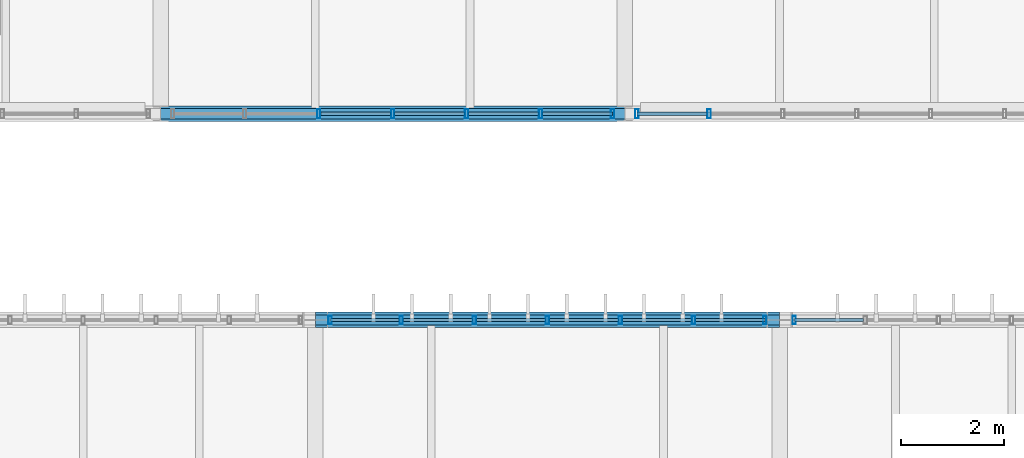
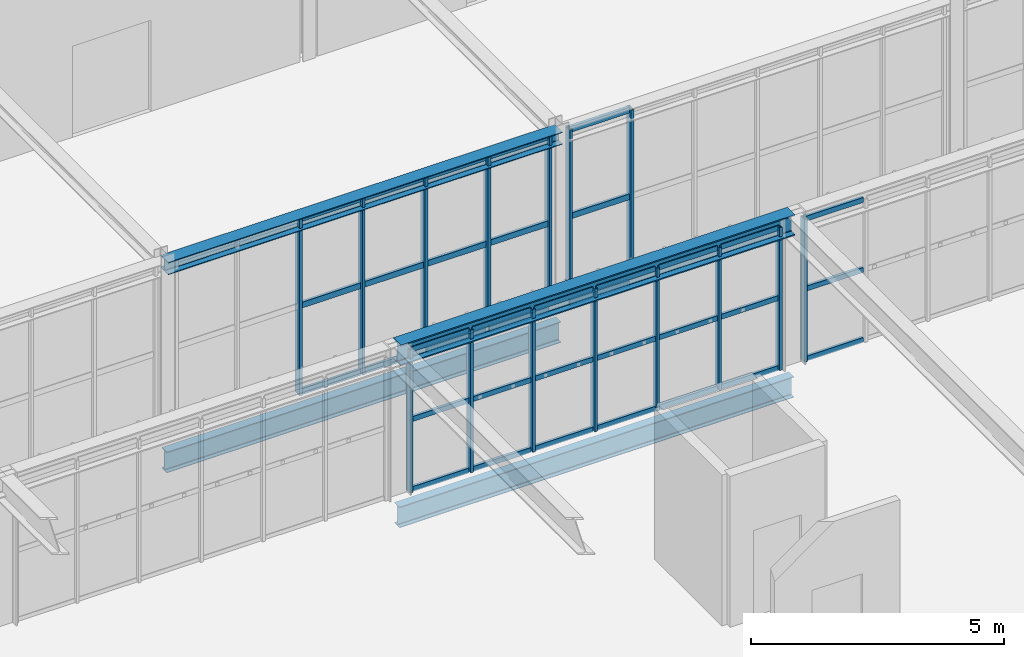
# One storey, part 61 of 152: 51 members, 4 beams, 4 elements without a shape of their own.
"""IFC4 building model written with IfcOpenShell, lengths in metres."""

from ifc_helpers import new_model, si_unit, derived_unit, direction, frame, origin, origin_2d, place, context, subcontext, project, spatial, hollow_rectangle, i_section, extrude, material, material_profile, profile_set, type_object, element, aggregate, save


model = new_model("IFC4")

# Units and contexts
model_context = context("Model", 3, precision=1e-05, world=origin(), true_north=direction((0.0, 1.0)))
body_context = subcontext(model_context, "Body", "Model", "MODEL_VIEW")
ifc_project = project(units=[si_unit("LENGTHUNIT", "METRE"), si_unit("AREAUNIT", "SQUARE_METRE"), si_unit("VOLUMEUNIT", "CUBIC_METRE"), si_unit("PLANEANGLEUNIT", "RADIAN"), si_unit("MASSUNIT", "GRAM", prefix="KILO"), si_unit("THERMODYNAMICTEMPERATUREUNIT", "KELVIN"), si_unit("TIMEUNIT", "SECOND"), derived_unit("THERMALTRANSMITTANCEUNIT", [(si_unit("MASSUNIT", "GRAM", prefix="KILO"), 1), (si_unit("THERMODYNAMICTEMPERATUREUNIT", "KELVIN"), -1), (si_unit("TIMEUNIT", "SECOND"), -3)])], contexts=[model_context])

# Site, building, storey
site_placement = place(None, origin())
site = spatial("IfcSite", under=ifc_project, at=site_placement, CompositionType="ELEMENT")
building_placement = place(site_placement, origin())
building = spatial("IfcBuilding", under=site, at=building_placement, Name="Cambertide Market Hall", CompositionType="ELEMENT")
storey_placement = place(building_placement, frame((0.0, 0.0, 5.39990234375)))
storey = spatial("IfcBuildingStorey", under=building, at=storey_placement, Name="L02", CompositionType="ELEMENT", Elevation=5.39990234375)

# Curtain wall, members
ifc_material_1 = material(Name="Marine Anodized Aluminium 6063-T6 AA25", Category="aluminium")
curtain_wall_type_1 = type_object("IfcCurtainWallType", Name="Lantern Straight Upper Curtain Wall", PredefinedType="USERDEFINED", material=ifc_material_1)
curtain_wall_1_placement = place(storey_placement, origin())
curtain_wall_1 = element("IfcCurtainWall", 1, at=curtain_wall_1_placement, inside=storey, type_object=curtain_wall_type_1, Name="Level 2 Curtain Wall CW-V1N-L02-3", ObjectType="UNITIZED CURTAIN WALL", PredefinedType="USERDEFINED")
ifc_material_2 = material(Name="Champagne Marine Anodized Aluminium 6063-T6 AA25", Category="aluminium")
ifc_material_profile_1 = material_profile(ifc_material_2, hollow_rectangle(XDim=0.06494140625, YDim=0.159912109375, WallThickness=0.00341796875, at=origin_2d()), Name="ALU MULLION 65x160")
ifc_profile_set_1 = profile_set([ifc_material_profile_1], Name="Champagne Marine Anodized Aluminium 6063-T6 AA25")
member_type_1 = type_object("IfcMemberType", Name="Curtain Wall Mullion ALU MULLION 65x160", PredefinedType="MULLION", material=ifc_profile_set_1)
member_1_placement = place(storey_placement, frame((60.284912109375, 92.0, 0.0), z_axis=(0.0, 0.0, 1.0), x_axis=(1.0, 0.0, 0.0)))
member_1 = element("IfcMember", 2, at=member_1_placement, type_object=member_type_1, Name="CW-V1N-L02-3 Mullion 1", PredefinedType="MULLION", context=body_context, shape_type="SweptSolid", body=[
    extrude(hollow_rectangle(XDim=0.06494140625, YDim=0.159912109375, WallThickness=0.00341796875, at=origin_2d()), origin(), (0.0, 0.0, 1.0), 3.4501953125),
])
member_2_placement = place(storey_placement, frame((61.666748046875, 92.0, 0.0), z_axis=(0.0, 0.0, 1.0), x_axis=(1.0, 0.0, 0.0)))
member_2 = element("IfcMember", 3, at=member_2_placement, type_object=member_type_1, Name="CW-V1N-L02-3 Mullion 2", PredefinedType="MULLION", context=body_context, shape_type="SweptSolid", body=[
    extrude(hollow_rectangle(XDim=0.06494140625, YDim=0.159912109375, WallThickness=0.00341796875, at=origin_2d()), origin(), (0.0, 0.0, 1.0), 3.4501953125),
])
member_3_placement = place(storey_placement, frame((63.083251953125, 92.0, 0.0), z_axis=(0.0, 0.0, 1.0), x_axis=(1.0, 0.0, 0.0)))
member_3 = element("IfcMember", 4, at=member_3_placement, type_object=member_type_1, Name="CW-V1N-L02-3 Mullion 3", PredefinedType="MULLION", context=body_context, shape_type="SweptSolid", body=[
    extrude(hollow_rectangle(XDim=0.06494140625, YDim=0.159912109375, WallThickness=0.00341796875, at=origin_2d()), origin(), (0.0, 0.0, 1.0), 3.4501953125),
])
member_4_placement = place(storey_placement, frame((64.5, 92.0, 0.0), z_axis=(0.0, 0.0, 1.0), x_axis=(1.0, 0.0, 0.0)))
member_4 = element("IfcMember", 5, at=member_4_placement, type_object=member_type_1, Name="CW-V1N-L02-3 Mullion 4", PredefinedType="MULLION", context=body_context, shape_type="SweptSolid", body=[
    extrude(hollow_rectangle(XDim=0.06494140625, YDim=0.159912109375, WallThickness=0.00341796875, at=origin_2d()), origin(), (0.0, 0.0, 1.0), 3.4501953125),
])
member_5_placement = place(storey_placement, frame((65.916748046875, 92.0, 0.0), z_axis=(0.0, 0.0, 1.0), x_axis=(1.0, 0.0, 0.0)))
member_5 = element("IfcMember", 6, at=member_5_placement, type_object=member_type_1, Name="CW-V1N-L02-3 Mullion 5", PredefinedType="MULLION", context=body_context, shape_type="SweptSolid", body=[
    extrude(hollow_rectangle(XDim=0.06494140625, YDim=0.159912109375, WallThickness=0.00341796875, at=origin_2d()), origin(), (0.0, 0.0, 1.0), 3.4501953125),
])
member_6_placement = place(storey_placement, frame((67.333251953125, 92.0, 0.0), z_axis=(0.0, 0.0, 1.0), x_axis=(1.0, 0.0, 0.0)))
member_6 = element("IfcMember", 7, at=member_6_placement, type_object=member_type_1, Name="CW-V1N-L02-3 Mullion 6", PredefinedType="MULLION", context=body_context, shape_type="SweptSolid", body=[
    extrude(hollow_rectangle(XDim=0.06494140625, YDim=0.159912109375, WallThickness=0.00341796875, at=origin_2d()), origin(), (0.0, 0.0, 1.0), 3.4501953125),
])
member_7_placement = place(storey_placement, frame((68.715087890625, 92.0, 0.0), z_axis=(0.0, 0.0, 1.0), x_axis=(1.0, 0.0, 0.0)))
member_7 = element("IfcMember", 8, at=member_7_placement, type_object=member_type_1, Name="CW-V1N-L02-3 Mullion 7", PredefinedType="MULLION", context=body_context, shape_type="SweptSolid", body=[
    extrude(hollow_rectangle(XDim=0.06494140625, YDim=0.159912109375, WallThickness=0.00341796875, at=origin_2d()), origin(), (0.0, 0.0, 1.0), 3.4501953125),
])

# Curtain wall, member
curtain_wall_2_placement = place(storey_placement, origin())
curtain_wall_2 = element("IfcCurtainWall", 9, at=curtain_wall_2_placement, inside=storey, type_object=curtain_wall_type_1, Name="Level 2 Curtain Wall CW-V1N-L02-4", ObjectType="UNITIZED CURTAIN WALL", PredefinedType="USERDEFINED")
member_8_placement = place(storey_placement, frame((69.284912109375, 92.0, 0.0), z_axis=(0.0, 0.0, 1.0), x_axis=(1.0, 0.0, 0.0)))
member_8 = element("IfcMember", 10, at=member_8_placement, type_object=member_type_1, Name="CW-V1N-L02-4 Mullion 1", PredefinedType="MULLION", context=body_context, shape_type="SweptSolid", body=[
    extrude(hollow_rectangle(XDim=0.06494140625, YDim=0.159912109375, WallThickness=0.00341796875, at=origin_2d()), origin(), (0.0, 0.0, 1.0), 3.4501953125),
])

# Curtain wall, members
ifc_material_3 = material(Name="Marine Anodized Aluminium 6063-T6 AA25", Category="aluminium")
curtain_wall_type_2 = type_object("IfcCurtainWallType", Name="Herb Tea Pavilion Terrace Glazed Wall", PredefinedType="USERDEFINED", material=ifc_material_3)
curtain_wall_3_placement = place(storey_placement, origin())
curtain_wall_3 = element("IfcCurtainWall", 11, at=curtain_wall_3_placement, inside=storey, type_object=curtain_wall_type_2, Name="Level 2 Curtain Wall CW-V2PAV-S-5", ObjectType="UNITIZED CURTAIN WALL", PredefinedType="USERDEFINED")
ifc_material_4 = material(Name="Champagne Marine Anodized Aluminium 6063-T6 AA25", Category="aluminium")
ifc_material_profile_2 = material_profile(ifc_material_4, hollow_rectangle(XDim=0.06494140625, YDim=0.179931640625, WallThickness=0.00390625, at=origin_2d()), Name="ALU MULLION 65x180")
ifc_profile_set_2 = profile_set([ifc_material_profile_2], Name="Champagne Marine Anodized Aluminium 6063-T6 AA25")
member_type_2 = type_object("IfcMemberType", Name="Curtain Wall Mullion ALU MULLION 65x180", PredefinedType="MULLION", material=ifc_profile_set_2)
member_9_placement = place(storey_placement, frame((65.764892578125, 96.0, 0.0), z_axis=(0.0, 0.0, 1.0), x_axis=(-1.0, 0.0, 0.0)))
member_9 = element("IfcMember", 12, at=member_9_placement, type_object=member_type_2, Name="CW-V2PAV-S-5 Mullion 1", PredefinedType="MULLION", context=body_context, shape_type="SweptSolid", body=[
    extrude(hollow_rectangle(XDim=0.06494140625, YDim=0.179931640625, WallThickness=0.00390625, at=origin_2d()), origin(), (0.0, 0.0, 1.0), 4.25),
])
member_10_placement = place(storey_placement, frame((64.36669921875, 96.0, 0.0), z_axis=(0.0, 0.0, 1.0), x_axis=(-1.0, 0.0, 0.0)))
member_10 = element("IfcMember", 13, at=member_10_placement, type_object=member_type_2, Name="CW-V2PAV-S-5 Mullion 2", PredefinedType="MULLION", context=body_context, shape_type="SweptSolid", body=[
    extrude(hollow_rectangle(XDim=0.06494140625, YDim=0.179931640625, WallThickness=0.00390625, at=origin_2d()), origin(), (0.0, 0.0, 1.0), 4.25),
])
member_11_placement = place(storey_placement, frame((62.933349609375, 96.0, 0.0), z_axis=(0.0, 0.0, 1.0), x_axis=(-1.0, 0.0, 0.0)))
member_11 = element("IfcMember", 14, at=member_11_placement, type_object=member_type_2, Name="CW-V2PAV-S-5 Mullion 3", PredefinedType="MULLION", context=body_context, shape_type="SweptSolid", body=[
    extrude(hollow_rectangle(XDim=0.06494140625, YDim=0.179931640625, WallThickness=0.00390625, at=origin_2d()), origin(), (0.0, 0.0, 1.0), 4.25),
])
member_12_placement = place(storey_placement, frame((61.5, 96.0, 0.0), z_axis=(0.0, 0.0, 1.0), x_axis=(-1.0, 0.0, 0.0)))
member_12 = element("IfcMember", 15, at=member_12_placement, type_object=member_type_2, Name="CW-V2PAV-S-5 Mullion 4", PredefinedType="MULLION", context=body_context, shape_type="SweptSolid", body=[
    extrude(hollow_rectangle(XDim=0.06494140625, YDim=0.179931640625, WallThickness=0.00390625, at=origin_2d()), origin(), (0.0, 0.0, 1.0), 4.25),
])
member_13_placement = place(storey_placement, frame((60.066650390625, 96.0, 0.0), z_axis=(0.0, 0.0, 1.0), x_axis=(-1.0, 0.0, 0.0)))
member_13 = element("IfcMember", 16, at=member_13_placement, type_object=member_type_2, Name="CW-V2PAV-S-5 Mullion 5", PredefinedType="MULLION", context=body_context, shape_type="SweptSolid", body=[
    extrude(hollow_rectangle(XDim=0.06494140625, YDim=0.179931640625, WallThickness=0.00390625, at=origin_2d()), origin(), (0.0, 0.0, 1.0), 4.25),
])

curtain_wall_4_placement = place(storey_placement, origin())
curtain_wall_4 = element("IfcCurtainWall", 17, at=curtain_wall_4_placement, inside=storey, type_object=curtain_wall_type_2, Name="Level 2 Curtain Wall CW-V2PAV-S-6", ObjectType="UNITIZED CURTAIN WALL", PredefinedType="USERDEFINED")
member_14_placement = place(storey_placement, frame((67.63330078125, 96.0, 0.0), z_axis=(0.0, 0.0, 1.0), x_axis=(-1.0, 0.0, 0.0)))
member_14 = element("IfcMember", 18, at=member_14_placement, type_object=member_type_2, Name="CW-V2PAV-S-6 Mullion 6", PredefinedType="MULLION", context=body_context, shape_type="SweptSolid", body=[
    extrude(hollow_rectangle(XDim=0.06494140625, YDim=0.179931640625, WallThickness=0.00390625, at=origin_2d()), origin(), (0.0, 0.0, 1.0), 4.25),
])
member_15_placement = place(storey_placement, frame((66.235107421875, 96.0, 0.0), z_axis=(0.0, 0.0, 1.0), x_axis=(-1.0, 0.0, 0.0)))
member_15 = element("IfcMember", 19, at=member_15_placement, type_object=member_type_2, Name="CW-V2PAV-S-6 Mullion 7", PredefinedType="MULLION", context=body_context, shape_type="SweptSolid", body=[
    extrude(hollow_rectangle(XDim=0.06494140625, YDim=0.179931640625, WallThickness=0.00390625, at=origin_2d()), origin(), (0.0, 0.0, 1.0), 4.25),
])

# Member
ifc_material_5 = material(Name="Champagne Marine Anodized Aluminium 6063-T6 AA25", Category="aluminium")
ifc_material_profile_3 = material_profile(ifc_material_5, hollow_rectangle(XDim=0.06494140625, YDim=0.1201171875, WallThickness=0.003173828125, at=origin_2d()), Name="ALU TRANSOM 65x120")
ifc_profile_set_3 = profile_set([ifc_material_profile_3], Name="Champagne Marine Anodized Aluminium 6063-T6 AA25")
member_type_3 = type_object("IfcMemberType", Name="Curtain Wall Transom ALU TRANSOM 65x120", PredefinedType="USERDEFINED", material=ifc_profile_set_3)
member_16_placement = place(storey_placement, frame((60.2900390625, 92.0, 0.03515625), z_axis=(1.0, 0.0, 0.0), x_axis=(0.0, 1.0, 0.0)))
member_16 = element("IfcMember", 20, at=member_16_placement, type_object=member_type_3, Name="CW-V1N-L02-3 Transom 1-1", ObjectType="TRANSOM", PredefinedType="USERDEFINED", context=body_context, shape_type="SweptSolid", body=[
    extrude(hollow_rectangle(XDim=0.06494140625, YDim=0.1201171875, WallThickness=0.003173828125, at=origin_2d()), origin(), (0.0, 0.0, 1.0), 1.336669921875),
])

member_17_placement = place(storey_placement, frame((61.706787109375, 92.0, 0.03515625), z_axis=(1.0, 0.0, 0.0), x_axis=(0.0, 1.0, 0.0)))
member_17 = element("IfcMember", 21, at=member_17_placement, type_object=member_type_3, Name="CW-V1N-L02-3 Transom 1-2", ObjectType="TRANSOM", PredefinedType="USERDEFINED", context=body_context, shape_type="SweptSolid", body=[
    extrude(hollow_rectangle(XDim=0.06494140625, YDim=0.1201171875, WallThickness=0.003173828125, at=origin_2d()), origin(), (0.0, 0.0, 1.0), 1.33642578125),
])

member_18_placement = place(storey_placement, frame((63.123291015625, 92.0, 0.03515625), z_axis=(1.0, 0.0, 0.0), x_axis=(0.0, 1.0, 0.0)))
member_18 = element("IfcMember", 22, at=member_18_placement, type_object=member_type_3, Name="CW-V1N-L02-3 Transom 1-3", ObjectType="TRANSOM", PredefinedType="USERDEFINED", context=body_context, shape_type="SweptSolid", body=[
    extrude(hollow_rectangle(XDim=0.06494140625, YDim=0.1201171875, WallThickness=0.003173828125, at=origin_2d()), origin(), (0.0, 0.0, 1.0), 1.336669921875),
])

member_19_placement = place(storey_placement, frame((64.5400390625, 92.0, 0.03515625), z_axis=(1.0, 0.0, 0.0), x_axis=(0.0, 1.0, 0.0)))
member_19 = element("IfcMember", 23, at=member_19_placement, type_object=member_type_3, Name="CW-V1N-L02-3 Transom 1-4", ObjectType="TRANSOM", PredefinedType="USERDEFINED", context=body_context, shape_type="SweptSolid", body=[
    extrude(hollow_rectangle(XDim=0.06494140625, YDim=0.1201171875, WallThickness=0.003173828125, at=origin_2d()), origin(), (0.0, 0.0, 1.0), 1.336669921875),
])

member_20_placement = place(storey_placement, frame((65.956787109375, 92.0, 0.03515625), z_axis=(1.0, 0.0, 0.0), x_axis=(0.0, 1.0, 0.0)))
member_20 = element("IfcMember", 24, at=member_20_placement, type_object=member_type_3, Name="CW-V1N-L02-3 Transom 1-5", ObjectType="TRANSOM", PredefinedType="USERDEFINED", context=body_context, shape_type="SweptSolid", body=[
    extrude(hollow_rectangle(XDim=0.06494140625, YDim=0.1201171875, WallThickness=0.003173828125, at=origin_2d()), origin(), (0.0, 0.0, 1.0), 1.33642578125),
])

member_21_placement = place(storey_placement, frame((67.373291015625, 92.0, 0.03515625), z_axis=(1.0, 0.0, 0.0), x_axis=(0.0, 1.0, 0.0)))
member_21 = element("IfcMember", 25, at=member_21_placement, type_object=member_type_3, Name="CW-V1N-L02-3 Transom 1-6", ObjectType="TRANSOM", PredefinedType="USERDEFINED", context=body_context, shape_type="SweptSolid", body=[
    extrude(hollow_rectangle(XDim=0.06494140625, YDim=0.1201171875, WallThickness=0.003173828125, at=origin_2d()), origin(), (0.0, 0.0, 1.0), 1.336669921875),
])

member_22_placement = place(storey_placement, frame((60.2900390625, 92.0, 1.72509765625), z_axis=(1.0, 0.0, 0.0), x_axis=(0.0, 1.0, 0.0)))
member_22 = element("IfcMember", 26, at=member_22_placement, type_object=member_type_3, Name="CW-V1N-L02-3 Transom 2-1", ObjectType="TRANSOM", PredefinedType="USERDEFINED", context=body_context, shape_type="SweptSolid", body=[
    extrude(hollow_rectangle(XDim=0.06494140625, YDim=0.1201171875, WallThickness=0.003173828125, at=origin_2d()), origin(), (0.0, 0.0, 1.0), 1.336669921875),
])

member_23_placement = place(storey_placement, frame((61.706787109375, 92.0, 1.72509765625), z_axis=(1.0, 0.0, 0.0), x_axis=(0.0, 1.0, 0.0)))
member_23 = element("IfcMember", 27, at=member_23_placement, type_object=member_type_3, Name="CW-V1N-L02-3 Transom 2-2", ObjectType="TRANSOM", PredefinedType="USERDEFINED", context=body_context, shape_type="SweptSolid", body=[
    extrude(hollow_rectangle(XDim=0.06494140625, YDim=0.1201171875, WallThickness=0.003173828125, at=origin_2d()), origin(), (0.0, 0.0, 1.0), 1.33642578125),
])

member_24_placement = place(storey_placement, frame((63.123291015625, 92.0, 1.72509765625), z_axis=(1.0, 0.0, 0.0), x_axis=(0.0, 1.0, 0.0)))
member_24 = element("IfcMember", 28, at=member_24_placement, type_object=member_type_3, Name="CW-V1N-L02-3 Transom 2-3", ObjectType="TRANSOM", PredefinedType="USERDEFINED", context=body_context, shape_type="SweptSolid", body=[
    extrude(hollow_rectangle(XDim=0.06494140625, YDim=0.1201171875, WallThickness=0.003173828125, at=origin_2d()), origin(), (0.0, 0.0, 1.0), 1.336669921875),
])

member_25_placement = place(storey_placement, frame((64.5400390625, 92.0, 1.72509765625), z_axis=(1.0, 0.0, 0.0), x_axis=(0.0, 1.0, 0.0)))
member_25 = element("IfcMember", 29, at=member_25_placement, type_object=member_type_3, Name="CW-V1N-L02-3 Transom 2-4", ObjectType="TRANSOM", PredefinedType="USERDEFINED", context=body_context, shape_type="SweptSolid", body=[
    extrude(hollow_rectangle(XDim=0.06494140625, YDim=0.1201171875, WallThickness=0.003173828125, at=origin_2d()), origin(), (0.0, 0.0, 1.0), 1.336669921875),
])

member_26_placement = place(storey_placement, frame((65.956787109375, 92.0, 1.72509765625), z_axis=(1.0, 0.0, 0.0), x_axis=(0.0, 1.0, 0.0)))
member_26 = element("IfcMember", 30, at=member_26_placement, type_object=member_type_3, Name="CW-V1N-L02-3 Transom 2-5", ObjectType="TRANSOM", PredefinedType="USERDEFINED", context=body_context, shape_type="SweptSolid", body=[
    extrude(hollow_rectangle(XDim=0.06494140625, YDim=0.1201171875, WallThickness=0.003173828125, at=origin_2d()), origin(), (0.0, 0.0, 1.0), 1.33642578125),
])

member_27_placement = place(storey_placement, frame((67.373291015625, 92.0, 1.72509765625), z_axis=(1.0, 0.0, 0.0), x_axis=(0.0, 1.0, 0.0)))
member_27 = element("IfcMember", 31, at=member_27_placement, type_object=member_type_3, Name="CW-V1N-L02-3 Transom 2-6", ObjectType="TRANSOM", PredefinedType="USERDEFINED", context=body_context, shape_type="SweptSolid", body=[
    extrude(hollow_rectangle(XDim=0.06494140625, YDim=0.1201171875, WallThickness=0.003173828125, at=origin_2d()), origin(), (0.0, 0.0, 1.0), 1.336669921875),
])

member_28_placement = place(storey_placement, frame((60.2900390625, 92.0, 3.4150390625), z_axis=(1.0, 0.0, 0.0), x_axis=(0.0, 1.0, 0.0)))
member_28 = element("IfcMember", 32, at=member_28_placement, type_object=member_type_3, Name="CW-V1N-L02-3 Transom 3-1", ObjectType="TRANSOM", PredefinedType="USERDEFINED", context=body_context, shape_type="SweptSolid", body=[
    extrude(hollow_rectangle(XDim=0.06494140625, YDim=0.1201171875, WallThickness=0.003173828125, at=origin_2d()), origin(), (0.0, 0.0, 1.0), 1.336669921875),
])

member_29_placement = place(storey_placement, frame((61.706787109375, 92.0, 3.4150390625), z_axis=(1.0, 0.0, 0.0), x_axis=(0.0, 1.0, 0.0)))
member_29 = element("IfcMember", 33, at=member_29_placement, type_object=member_type_3, Name="CW-V1N-L02-3 Transom 3-2", ObjectType="TRANSOM", PredefinedType="USERDEFINED", context=body_context, shape_type="SweptSolid", body=[
    extrude(hollow_rectangle(XDim=0.06494140625, YDim=0.1201171875, WallThickness=0.003173828125, at=origin_2d()), origin(), (0.0, 0.0, 1.0), 1.33642578125),
])

member_30_placement = place(storey_placement, frame((63.123291015625, 92.0, 3.4150390625), z_axis=(1.0, 0.0, 0.0), x_axis=(0.0, 1.0, 0.0)))
member_30 = element("IfcMember", 34, at=member_30_placement, type_object=member_type_3, Name="CW-V1N-L02-3 Transom 3-3", ObjectType="TRANSOM", PredefinedType="USERDEFINED", context=body_context, shape_type="SweptSolid", body=[
    extrude(hollow_rectangle(XDim=0.06494140625, YDim=0.1201171875, WallThickness=0.003173828125, at=origin_2d()), origin(), (0.0, 0.0, 1.0), 1.336669921875),
])

member_31_placement = place(storey_placement, frame((64.5400390625, 92.0, 3.4150390625), z_axis=(1.0, 0.0, 0.0), x_axis=(0.0, 1.0, 0.0)))
member_31 = element("IfcMember", 35, at=member_31_placement, type_object=member_type_3, Name="CW-V1N-L02-3 Transom 3-4", ObjectType="TRANSOM", PredefinedType="USERDEFINED", context=body_context, shape_type="SweptSolid", body=[
    extrude(hollow_rectangle(XDim=0.06494140625, YDim=0.1201171875, WallThickness=0.003173828125, at=origin_2d()), origin(), (0.0, 0.0, 1.0), 1.336669921875),
])

member_32_placement = place(storey_placement, frame((65.956787109375, 92.0, 3.4150390625), z_axis=(1.0, 0.0, 0.0), x_axis=(0.0, 1.0, 0.0)))
member_32 = element("IfcMember", 36, at=member_32_placement, type_object=member_type_3, Name="CW-V1N-L02-3 Transom 3-5", ObjectType="TRANSOM", PredefinedType="USERDEFINED", context=body_context, shape_type="SweptSolid", body=[
    extrude(hollow_rectangle(XDim=0.06494140625, YDim=0.1201171875, WallThickness=0.003173828125, at=origin_2d()), origin(), (0.0, 0.0, 1.0), 1.33642578125),
])

member_33_placement = place(storey_placement, frame((67.373291015625, 92.0, 3.4150390625), z_axis=(1.0, 0.0, 0.0), x_axis=(0.0, 1.0, 0.0)))
member_33 = element("IfcMember", 37, at=member_33_placement, type_object=member_type_3, Name="CW-V1N-L02-3 Transom 3-6", ObjectType="TRANSOM", PredefinedType="USERDEFINED", context=body_context, shape_type="SweptSolid", body=[
    extrude(hollow_rectangle(XDim=0.06494140625, YDim=0.1201171875, WallThickness=0.003173828125, at=origin_2d()), origin(), (0.0, 0.0, 1.0), 1.336669921875),
])

aggregate(curtain_wall_1, [member_1, member_2, member_3, member_4, member_5, member_6, member_7, member_16, member_17, member_18, member_19, member_20, member_21, member_22, member_23, member_24, member_25, member_26, member_27, member_28, member_29, member_30, member_31, member_32, member_33])

member_34_placement = place(storey_placement, frame((69.2900390625, 92.0, 0.03515625), z_axis=(1.0, 0.0, 0.0), x_axis=(0.0, 1.0, 0.0)))
member_34 = element("IfcMember", 38, at=member_34_placement, type_object=member_type_3, Name="CW-V1N-L02-4 Transom 1-1", ObjectType="TRANSOM", PredefinedType="USERDEFINED", context=body_context, shape_type="SweptSolid", body=[
    extrude(hollow_rectangle(XDim=0.06494140625, YDim=0.1201171875, WallThickness=0.003173828125, at=origin_2d()), origin(), (0.0, 0.0, 1.0), 1.336669921875),
])

member_35_placement = place(storey_placement, frame((69.2900390625, 92.0, 1.72509765625), z_axis=(1.0, 0.0, 0.0), x_axis=(0.0, 1.0, 0.0)))
member_35 = element("IfcMember", 39, at=member_35_placement, type_object=member_type_3, Name="CW-V1N-L02-4 Transom 2-1", ObjectType="TRANSOM", PredefinedType="USERDEFINED", context=body_context, shape_type="SweptSolid", body=[
    extrude(hollow_rectangle(XDim=0.06494140625, YDim=0.1201171875, WallThickness=0.003173828125, at=origin_2d()), origin(), (0.0, 0.0, 1.0), 1.336669921875),
])

member_36_placement = place(storey_placement, frame((69.2900390625, 92.0, 3.4150390625), z_axis=(1.0, 0.0, 0.0), x_axis=(0.0, 1.0, 0.0)))
member_36 = element("IfcMember", 40, at=member_36_placement, type_object=member_type_3, Name="CW-V1N-L02-4 Transom 3-1", ObjectType="TRANSOM", PredefinedType="USERDEFINED", context=body_context, shape_type="SweptSolid", body=[
    extrude(hollow_rectangle(XDim=0.06494140625, YDim=0.1201171875, WallThickness=0.003173828125, at=origin_2d()), origin(), (0.0, 0.0, 1.0), 1.336669921875),
])

aggregate(curtain_wall_2, [member_8, member_34, member_35, member_36])

ifc_material_6 = material(Name="Champagne Marine Anodized Aluminium 6063-T6 AA25", Category="aluminium")
ifc_material_profile_4 = material_profile(ifc_material_6, hollow_rectangle(XDim=0.06494140625, YDim=0.139892578125, WallThickness=0.00341796875, at=origin_2d()), Name="ALU TRANSOM 65x140")
ifc_profile_set_4 = profile_set([ifc_material_profile_4], Name="Champagne Marine Anodized Aluminium 6063-T6 AA25")
member_type_4 = type_object("IfcMemberType", Name="Curtain Wall Transom ALU TRANSOM 65x140", PredefinedType="USERDEFINED", material=ifc_profile_set_4)
member_37_placement = place(storey_placement, frame((65.760009765625, 96.0, 0.03515625), z_axis=(-1.0, 0.0, 0.0), x_axis=(0.0, -1.0, 0.0)))
member_37 = element("IfcMember", 41, at=member_37_placement, type_object=member_type_4, Name="CW-V2PAV-S-5 Transom 1-1", ObjectType="TRANSOM", PredefinedType="USERDEFINED", context=body_context, shape_type="SweptSolid", body=[
    extrude(hollow_rectangle(XDim=0.06494140625, YDim=0.139892578125, WallThickness=0.00341796875, at=origin_2d()), origin(), (0.0, 0.0, 1.0), 1.353271484375),
])

member_38_placement = place(storey_placement, frame((64.32666015625, 96.0, 0.03515625), z_axis=(-1.0, 0.0, 0.0), x_axis=(0.0, -1.0, 0.0)))
member_38 = element("IfcMember", 42, at=member_38_placement, type_object=member_type_4, Name="CW-V2PAV-S-5 Transom 1-2", ObjectType="TRANSOM", PredefinedType="USERDEFINED", context=body_context, shape_type="SweptSolid", body=[
    extrude(hollow_rectangle(XDim=0.06494140625, YDim=0.139892578125, WallThickness=0.00341796875, at=origin_2d()), origin(), (0.0, 0.0, 1.0), 1.353271484375),
])

member_39_placement = place(storey_placement, frame((62.893310546875, 96.0, 0.03515625), z_axis=(-1.0, 0.0, 0.0), x_axis=(0.0, -1.0, 0.0)))
member_39 = element("IfcMember", 43, at=member_39_placement, type_object=member_type_4, Name="CW-V2PAV-S-5 Transom 1-3", ObjectType="TRANSOM", PredefinedType="USERDEFINED", context=body_context, shape_type="SweptSolid", body=[
    extrude(hollow_rectangle(XDim=0.06494140625, YDim=0.139892578125, WallThickness=0.00341796875, at=origin_2d()), origin(), (0.0, 0.0, 1.0), 1.353271484375),
])

member_40_placement = place(storey_placement, frame((61.4599609375, 96.0, 0.03515625), z_axis=(-1.0, 0.0, 0.0), x_axis=(0.0, -1.0, 0.0)))
member_40 = element("IfcMember", 44, at=member_40_placement, type_object=member_type_4, Name="CW-V2PAV-S-5 Transom 1-4", ObjectType="TRANSOM", PredefinedType="USERDEFINED", context=body_context, shape_type="SweptSolid", body=[
    extrude(hollow_rectangle(XDim=0.06494140625, YDim=0.139892578125, WallThickness=0.00341796875, at=origin_2d()), origin(), (0.0, 0.0, 1.0), 1.353271484375),
])

member_41_placement = place(storey_placement, frame((65.760009765625, 96.0, 2.125), z_axis=(-1.0, 0.0, 0.0), x_axis=(0.0, -1.0, 0.0)))
member_41 = element("IfcMember", 45, at=member_41_placement, type_object=member_type_4, Name="CW-V2PAV-S-5 Transom 2-1", ObjectType="TRANSOM", PredefinedType="USERDEFINED", context=body_context, shape_type="SweptSolid", body=[
    extrude(hollow_rectangle(XDim=0.06494140625, YDim=0.139892578125, WallThickness=0.00341796875, at=origin_2d()), origin(), (0.0, 0.0, 1.0), 1.353271484375),
])

member_42_placement = place(storey_placement, frame((64.32666015625, 96.0, 2.125), z_axis=(-1.0, 0.0, 0.0), x_axis=(0.0, -1.0, 0.0)))
member_42 = element("IfcMember", 46, at=member_42_placement, type_object=member_type_4, Name="CW-V2PAV-S-5 Transom 2-2", ObjectType="TRANSOM", PredefinedType="USERDEFINED", context=body_context, shape_type="SweptSolid", body=[
    extrude(hollow_rectangle(XDim=0.06494140625, YDim=0.139892578125, WallThickness=0.00341796875, at=origin_2d()), origin(), (0.0, 0.0, 1.0), 1.353271484375),
])

member_43_placement = place(storey_placement, frame((62.893310546875, 96.0, 2.125), z_axis=(-1.0, 0.0, 0.0), x_axis=(0.0, -1.0, 0.0)))
member_43 = element("IfcMember", 47, at=member_43_placement, type_object=member_type_4, Name="CW-V2PAV-S-5 Transom 2-3", ObjectType="TRANSOM", PredefinedType="USERDEFINED", context=body_context, shape_type="SweptSolid", body=[
    extrude(hollow_rectangle(XDim=0.06494140625, YDim=0.139892578125, WallThickness=0.00341796875, at=origin_2d()), origin(), (0.0, 0.0, 1.0), 1.353271484375),
])

member_44_placement = place(storey_placement, frame((61.4599609375, 96.0, 2.125), z_axis=(-1.0, 0.0, 0.0), x_axis=(0.0, -1.0, 0.0)))
member_44 = element("IfcMember", 48, at=member_44_placement, type_object=member_type_4, Name="CW-V2PAV-S-5 Transom 2-4", ObjectType="TRANSOM", PredefinedType="USERDEFINED", context=body_context, shape_type="SweptSolid", body=[
    extrude(hollow_rectangle(XDim=0.06494140625, YDim=0.139892578125, WallThickness=0.00341796875, at=origin_2d()), origin(), (0.0, 0.0, 1.0), 1.353271484375),
])

member_45_placement = place(storey_placement, frame((65.760009765625, 96.0, 4.215087890625), z_axis=(-1.0, 0.0, 0.0), x_axis=(0.0, -1.0, 0.0)))
member_45 = element("IfcMember", 49, at=member_45_placement, type_object=member_type_4, Name="CW-V2PAV-S-5 Transom 3-1", ObjectType="TRANSOM", PredefinedType="USERDEFINED", context=body_context, shape_type="SweptSolid", body=[
    extrude(hollow_rectangle(XDim=0.06494140625, YDim=0.139892578125, WallThickness=0.00341796875, at=origin_2d()), origin(), (0.0, 0.0, 1.0), 1.353271484375),
])

member_46_placement = place(storey_placement, frame((64.32666015625, 96.0, 4.215087890625), z_axis=(-1.0, 0.0, 0.0), x_axis=(0.0, -1.0, 0.0)))
member_46 = element("IfcMember", 50, at=member_46_placement, type_object=member_type_4, Name="CW-V2PAV-S-5 Transom 3-2", ObjectType="TRANSOM", PredefinedType="USERDEFINED", context=body_context, shape_type="SweptSolid", body=[
    extrude(hollow_rectangle(XDim=0.06494140625, YDim=0.139892578125, WallThickness=0.00341796875, at=origin_2d()), origin(), (0.0, 0.0, 1.0), 1.353271484375),
])

member_47_placement = place(storey_placement, frame((62.893310546875, 96.0, 4.215087890625), z_axis=(-1.0, 0.0, 0.0), x_axis=(0.0, -1.0, 0.0)))
member_47 = element("IfcMember", 51, at=member_47_placement, type_object=member_type_4, Name="CW-V2PAV-S-5 Transom 3-3", ObjectType="TRANSOM", PredefinedType="USERDEFINED", context=body_context, shape_type="SweptSolid", body=[
    extrude(hollow_rectangle(XDim=0.06494140625, YDim=0.139892578125, WallThickness=0.00341796875, at=origin_2d()), origin(), (0.0, 0.0, 1.0), 1.353271484375),
])

member_48_placement = place(storey_placement, frame((61.4599609375, 96.0, 4.215087890625), z_axis=(-1.0, 0.0, 0.0), x_axis=(0.0, -1.0, 0.0)))
member_48 = element("IfcMember", 52, at=member_48_placement, type_object=member_type_4, Name="CW-V2PAV-S-5 Transom 3-4", ObjectType="TRANSOM", PredefinedType="USERDEFINED", context=body_context, shape_type="SweptSolid", body=[
    extrude(hollow_rectangle(XDim=0.06494140625, YDim=0.139892578125, WallThickness=0.00341796875, at=origin_2d()), origin(), (0.0, 0.0, 1.0), 1.353271484375),
])

aggregate(curtain_wall_3, [member_9, member_10, member_11, member_12, member_13, member_37, member_38, member_39, member_40, member_41, member_42, member_43, member_44, member_45, member_46, member_47, member_48])

member_49_placement = place(storey_placement, frame((67.59326171875, 96.0, 0.03515625), z_axis=(-1.0, 0.0, 0.0), x_axis=(0.0, -1.0, 0.0)))
member_49 = element("IfcMember", 53, at=member_49_placement, type_object=member_type_4, Name="CW-V2PAV-S-6 Transom 1-6", ObjectType="TRANSOM", PredefinedType="USERDEFINED", context=body_context, shape_type="SweptSolid", body=[
    extrude(hollow_rectangle(XDim=0.06494140625, YDim=0.139892578125, WallThickness=0.00341796875, at=origin_2d()), origin(), (0.0, 0.0, 1.0), 1.353271484375),
])

member_50_placement = place(storey_placement, frame((67.59326171875, 96.0, 2.125), z_axis=(-1.0, 0.0, 0.0), x_axis=(0.0, -1.0, 0.0)))
member_50 = element("IfcMember", 54, at=member_50_placement, type_object=member_type_4, Name="CW-V2PAV-S-6 Transom 2-6", ObjectType="TRANSOM", PredefinedType="USERDEFINED", context=body_context, shape_type="SweptSolid", body=[
    extrude(hollow_rectangle(XDim=0.06494140625, YDim=0.139892578125, WallThickness=0.00341796875, at=origin_2d()), origin(), (0.0, 0.0, 1.0), 1.353271484375),
])

member_51_placement = place(storey_placement, frame((67.59326171875, 96.0, 4.215087890625), z_axis=(-1.0, 0.0, 0.0), x_axis=(0.0, -1.0, 0.0)))
member_51 = element("IfcMember", 55, at=member_51_placement, type_object=member_type_4, Name="CW-V2PAV-S-6 Transom 3-6", ObjectType="TRANSOM", PredefinedType="USERDEFINED", context=body_context, shape_type="SweptSolid", body=[
    extrude(hollow_rectangle(XDim=0.06494140625, YDim=0.139892578125, WallThickness=0.00341796875, at=origin_2d()), origin(), (0.0, 0.0, 1.0), 1.353271484375),
])

aggregate(curtain_wall_4, [member_14, member_15, member_49, member_50, member_51])

# Beams
ifc_material_7 = material(Name="Steel S355", Category="steel")
ifc_material_profile_5 = material_profile(ifc_material_7, i_section(OverallWidth=0.300048828125, OverallDepth=0.300048828125, WebThickness=0.010986328125, FlangeThickness=0.01904296875, FilletRadius=0.027099609375, at=origin_2d()), Name="HEB 300")
ifc_profile_set_5 = profile_set([ifc_material_profile_5], Name="Steel S355")
beam_type_1 = type_object("IfcBeamType", Name="Exterior Steel Girder HEB 300", PredefinedType="BEAM", material=ifc_profile_set_5)
beam_1_placement = place(storey_placement, frame((57.0, 96.0, 4.170166015625), z_axis=(1.0, 0.0, 0.0), x_axis=(0.0, 1.0, 0.0)))
element("IfcBeam", 56, at=beam_1_placement, inside=storey, type_object=beam_type_1, Name="Level 2 Beam BM-V2PAV-X-5-0", PredefinedType="BEAM", context=body_context, shape_type="SweptSolid", body=[
    extrude(i_section(OverallWidth=0.300048828125, OverallDepth=0.300048828125, WebThickness=0.010986328125, FlangeThickness=0.01904296875, FilletRadius=0.027099609375, at=origin_2d()), origin(), (0.0, 0.0, 1.0), 9.0),
])
ifc_material_8 = material(Name="Steel S355", Category="steel")
ifc_material_profile_6 = material_profile(ifc_material_8, i_section(OverallWidth=0.300048828125, OverallDepth=0.5, WebThickness=0.014404296875, FlangeThickness=0.028076171875, FilletRadius=0.027099609375, at=origin_2d()), Name="HEB 500")
ifc_profile_set_6 = profile_set([ifc_material_profile_6], Name="Steel S355")
beam_type_2 = type_object("IfcBeamType", Name="Exterior Steel Girder HEB 500", PredefinedType="BEAM", material=ifc_profile_set_6)
beam_2_placement = place(storey_placement, frame((60.0, 92.0, 3.4501953125), z_axis=(1.0, 0.0, 0.0), x_axis=(0.0, 1.0, 0.0)))
element("IfcBeam", 57, at=beam_2_placement, inside=storey, type_object=beam_type_2, Name="Level 2 Beam EAVE-V1N-3", PredefinedType="BEAM", context=body_context, shape_type="SweptSolid", body=[
    extrude(i_section(OverallWidth=0.300048828125, OverallDepth=0.5, WebThickness=0.014404296875, FlangeThickness=0.028076171875, FilletRadius=0.027099609375, at=origin_2d()), origin(), (0.0, 0.0, 1.0), 9.0),
])
ifc_material_9 = material(Name="Steel S355", Category="steel")
ifc_material_profile_7 = material_profile(ifc_material_9, i_section(OverallWidth=0.199951171875, OverallDepth=0.5, WebThickness=0.01025390625, FlangeThickness=0.01611328125, FilletRadius=0.02099609375, at=origin_2d()), Name="IPE 500")
ifc_profile_set_7 = profile_set([ifc_material_profile_7], Name="Steel S355")
beam_type_3 = type_object("IfcBeamType", Name="Perimeter Spandrel Beam IPE 500", PredefinedType="SPANDREL", material=ifc_profile_set_7)
beam_3_placement = place(storey_placement, frame((60.0, 92.0, -0.489990234375), z_axis=(1.0, 0.0, 0.0), x_axis=(0.0, 1.0, 0.0)))
element("IfcBeam", 58, at=beam_3_placement, inside=storey, type_object=beam_type_3, Name="Level 2 Spandrel BM-V1N-L02-3", PredefinedType="SPANDREL", context=body_context, shape_type="SweptSolid", body=[
    extrude(i_section(OverallWidth=0.199951171875, OverallDepth=0.5, WebThickness=0.01025390625, FlangeThickness=0.01611328125, FilletRadius=0.02099609375, at=origin_2d()), origin(), (0.0, 0.0, 1.0), 9.0),
])
ifc_material_10 = material(Name="Steel S355", Category="steel")
ifc_material_profile_8 = material_profile(ifc_material_10, i_section(OverallWidth=0.199951171875, OverallDepth=0.5, WebThickness=0.01025390625, FlangeThickness=0.01611328125, FilletRadius=0.02099609375, at=origin_2d()), Name="IPE 500")
ifc_profile_set_8 = profile_set([ifc_material_profile_8], Name="Steel S355")
beam_type_4 = type_object("IfcBeamType", Name="Steel Girder IPE 500", PredefinedType="BEAM", material=ifc_profile_set_8)
beam_4_placement = place(storey_placement, frame((57.0, 96.0, -0.539794921875), z_axis=(1.0, 0.0, 0.0), x_axis=(0.0, 1.0, 0.0)))
element("IfcBeam", 59, at=beam_4_placement, inside=storey, type_object=beam_type_4, Name="Level 2 Beam BM-V2X-L02-6-1", PredefinedType="BEAM", context=body_context, shape_type="SweptSolid", body=[
    extrude(i_section(OverallWidth=0.199951171875, OverallDepth=0.5, WebThickness=0.01025390625, FlangeThickness=0.01611328125, FilletRadius=0.02099609375, at=origin_2d()), origin(), (0.0, 0.0, 1.0), 9.0),
])

save(model, "model.ifc")
